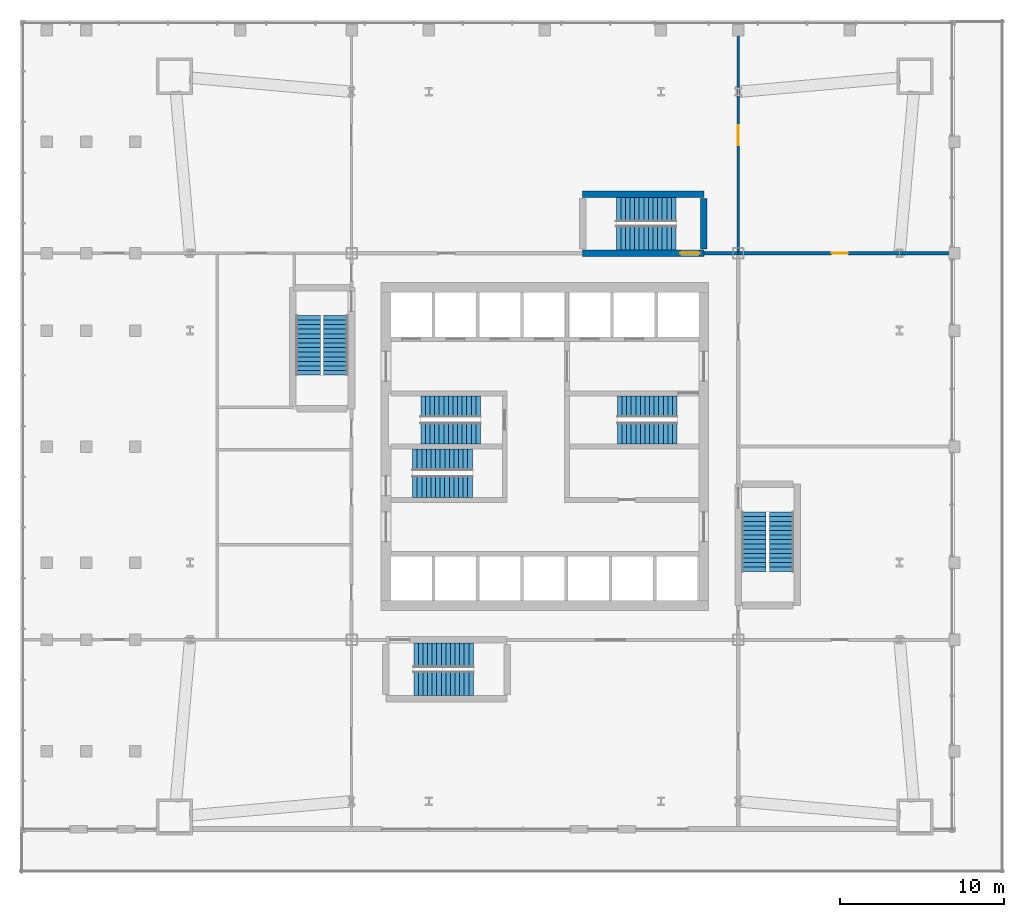
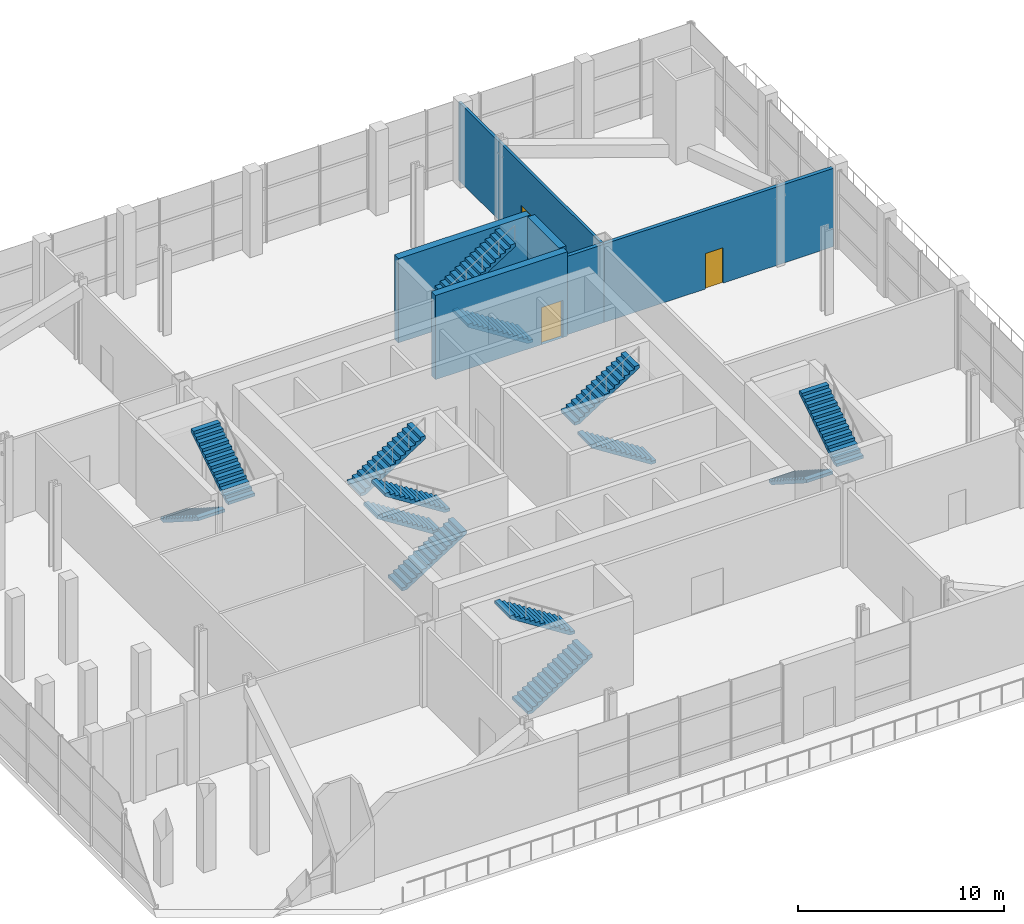
# One storey, part 11 of 12: 14 stair flights, 6 walls, 3 doors, 3 openings, 7 elements without a shape of their own.
"""IFC4 building model written with IfcOpenShell, lengths in metres."""

from ifc_helpers import new_model, si_unit, direction, frame, frame_2d, origin, place, context, subcontext, project, spatial, polyline, rectangle, outline, extrude, material, layer, layer_set, type_object, element, fill, aggregate, save


model = new_model("IFC4")

# Units and contexts
model_context = context("Model", 3, precision=1e-05, world=origin(), true_north=direction((0.0, 1.0)))
body_context = subcontext(model_context, "Body", "Model", "MODEL_VIEW")
ifc_project = project(units=[si_unit("LENGTHUNIT", "METRE"), si_unit("AREAUNIT", "SQUARE_METRE"), si_unit("VOLUMEUNIT", "CUBIC_METRE"), si_unit("PLANEANGLEUNIT", "RADIAN"), si_unit("MASSUNIT", "GRAM", prefix="KILO")], contexts=[model_context])

# Site, building, storey
site_placement = place(None, origin())
site = spatial("IfcSite", under=ifc_project, at=site_placement, CompositionType="ELEMENT")
building_placement = place(site_placement, origin())
building = spatial("IfcBuilding", under=site, at=building_placement, Name="Turquesa Mirador Hotel Tower", CompositionType="ELEMENT")
storey_placement = place(building_placement, frame((0.0, 0.0, 11.0)))
storey = spatial("IfcBuildingStorey", under=building, at=storey_placement, Name="L02", CompositionType="ELEMENT", Elevation=11.0)

# Wall
ifc_material_1 = material(Name="Fire-rated gypsum board on steel studs", Category="steel")
ifc_layer_1 = layer(ifc_material_1, 0.199951171875)
ifc_layer_set_1 = layer_set([ifc_layer_1], Name="CORRIDOR WALL 200")
wall_type_1 = type_object("IfcWallType", Name="CORRIDOR WALL 200", PredefinedType="PARTITIONING", material=ifc_layer_set_1)
wall_1_placement = place(storey_placement, frame((64.699951171875, 56.800048828125, 0.0), z_axis=(0.0, 0.0, 1.0), x_axis=(1.0, 0.0, 0.0)))
element("IfcWall", 1, at=wall_1_placement, inside=storey, type_object=wall_type_1, Name="Partition L02 013", PredefinedType="PARTITIONING", context=body_context, shape_type="SweptSolid", body=[
    extrude(rectangle(XDim=2.10009765625, YDim=0.199951171875, at=frame_2d((1.050048828125, 0.0))), origin(), (0.0, 0.0, 1.0), 4.64990234375),
])

# Wall, opening, door
ifc_material_2 = material(Name="Fire-rated gypsum board on steel studs", Category="steel")
ifc_layer_2 = layer(ifc_material_2, 0.199951171875)
ifc_layer_set_2 = layer_set([ifc_layer_2], Name="FIRE PARTITION 200")
wall_type_2 = type_object("IfcWallType", Name="FIRE PARTITION 200", PredefinedType="PARTITIONING", material=ifc_layer_set_2)
wall_2_placement = place(storey_placement, frame((66.800048828125, 56.800048828125, 0.0), z_axis=(0.0, 0.0, 1.0), x_axis=(1.0, 0.0, 0.0)))
wall_2 = element("IfcWall", 2, at=wall_2_placement, inside=storey, type_object=wall_type_2, Name="Partition L02 014", PredefinedType="PARTITIONING", context=body_context, shape_type="SweptSolid", body=[
    extrude(rectangle(XDim=12.89990234375, YDim=0.199951171875, at=frame_2d((6.449951171875, 0.0))), origin(), (0.0, 0.0, 1.0), 4.64990234375),
])
opening_1_placement = place(wall_2_placement, frame((5.699951171875, 0.0, 0.0)))
opening_1 = element("IfcOpeningElement", 3, at=opening_1_placement, cuts=wall_2, Name="Opening D05", PredefinedType="OPENING", context=body_context, shape_type="SweptSolid", body=[
    extrude(rectangle(XDim=1.0, YDim=2.10009765625, at=frame_2d((0.5, 1.050048828125))), frame((0.0, 0.10986328125, 0.0), z_axis=(0.0, -1.0, 0.0), x_axis=(1.0, 0.0, 0.0)), (0.0, 0.0, 1.0), 0.219970703125),
])
ifc_material_3 = material(Name="Steel fire door", Category="steel")
door_type_1 = type_object("IfcDoorType", Name="DOOR 1000X2100 SERVICE", OperationType="SINGLE_SWING_LEFT", PredefinedType="DOOR", material=ifc_material_3)
door_1_placement = place(opening_1_placement, origin())
door_1 = element("IfcDoor", 4, at=door_1_placement, inside=storey, type_object=door_type_1, Name="Door L02-11-1", OperationType="SINGLE_SWING_LEFT", OverallHeight=2.10009765625, OverallWidth=1.0, PredefinedType="DOOR", context=body_context, shape_type="SweptSolid", body=[
    extrude(rectangle(XDim=1.0, YDim=2.10009765625, at=frame_2d((0.5, 1.050048828125))), frame((0.0, 0.02490234375, 0.0), z_axis=(0.0, -1.0, 0.0), x_axis=(1.0, 0.0, 0.0)), (0.0, 0.0, 1.0), 0.050048828125),
])
fill(opening_1, door_1)

ifc_material_4 = material(Name="Gypsum board on steel studs", Category="steel")
ifc_layer_3 = layer(ifc_material_4, 0.14990234375)
ifc_layer_set_3 = layer_set([ifc_layer_3], Name="PARTITION 150")
wall_type_3 = type_object("IfcWallType", Name="PARTITION 150", PredefinedType="PARTITIONING", material=ifc_layer_set_3)
wall_3_placement = place(storey_placement, frame((66.800048828125, 56.800048828125, 0.0), z_axis=(0.0, 0.0, 1.0), x_axis=(0.0, 1.0, 0.0)))
wall_3 = element("IfcWall", 5, at=wall_3_placement, inside=storey, type_object=wall_type_3, Name="Partition L02 031", PredefinedType="PARTITIONING", context=body_context, shape_type="SweptSolid", body=[
    extrude(rectangle(XDim=13.89990234375, YDim=0.14990234375, at=frame_2d((6.949951171875, 0.0))), origin(), (0.0, 0.0, 1.0), 4.64990234375),
])
opening_2_placement = place(wall_3_placement, frame((6.60009765625, 0.0, 0.0)))
opening_2 = element("IfcOpeningElement", 6, at=opening_2_placement, cuts=wall_3, Name="Opening D09", PredefinedType="OPENING", context=body_context, shape_type="SweptSolid", body=[
    extrude(rectangle(XDim=1.199951171875, YDim=2.199951171875, at=frame_2d((0.60009765625, 1.10009765625))), frame((0.0, 0.0849609375, 0.0), z_axis=(0.0, -1.0, 0.0), x_axis=(1.0, 0.0, 0.0)), (0.0, 0.0, 1.0), 0.169921875),
])
ifc_material_5 = material(Name="Timber door", Category="wood")
door_type_2 = type_object("IfcDoorType", Name="DOOR 1200X2200 OFFICE", OperationType="SINGLE_SWING_LEFT", PredefinedType="DOOR", material=ifc_material_5)
door_2_placement = place(opening_2_placement, origin())
door_2 = element("IfcDoor", 7, at=door_2_placement, inside=storey, type_object=door_type_2, Name="Door L02-11", OperationType="SINGLE_SWING_LEFT", OverallHeight=2.199951171875, OverallWidth=1.199951171875, PredefinedType="DOOR", context=body_context, shape_type="SweptSolid", body=[
    extrude(rectangle(XDim=1.199951171875, YDim=2.199951171875, at=frame_2d((0.60009765625, 1.10009765625))), frame((0.0, 0.02490234375, 0.0), z_axis=(0.0, -1.0, 0.0), x_axis=(1.0, 0.0, 0.0)), (0.0, 0.0, 1.0), 0.050048828125),
])
fill(opening_2, door_2)

ifc_material_6 = material(Name="Concrete C50/60", Category="concrete")
ifc_layer_4 = layer(ifc_material_6, 0.39990234375)
ifc_layer_set_4 = layer_set([ifc_layer_4], Name="STAIR WALL 400")
wall_type_4 = type_object("IfcWallType", Name="STAIR WALL 400", PredefinedType="SHEAR", material=ifc_layer_set_4)
wall_4_placement = place(storey_placement, frame((57.300048828125, 56.800048828125, 0.0), z_axis=(0.0, 0.0, 1.0), x_axis=(1.0, 0.0, 0.0)))
wall_4 = element("IfcWall", 8, at=wall_4_placement, inside=storey, type_object=wall_type_4, Name="Stair wall L02 016", PredefinedType="SHEAR", context=body_context, shape_type="SweptSolid", body=[
    extrude(rectangle(XDim=7.39990234375, YDim=0.39990234375, at=frame_2d((3.699951171875, 0.0))), origin(), (0.0, 0.0, 1.0), 5.0),
])
opening_3_placement = place(wall_4_placement, frame((5.949951171875, 0.0, 0.0)))
opening_3 = element("IfcOpeningElement", 9, at=opening_3_placement, cuts=wall_4, Name="Opening D03", PredefinedType="OPENING", context=body_context, shape_type="SweptSolid", body=[
    extrude(rectangle(XDim=1.199951171875, YDim=2.199951171875, at=frame_2d((0.60009765625, 1.10009765625))), frame((0.0, 0.2099609375, 0.0), z_axis=(0.0, -1.0, 0.0), x_axis=(1.0, 0.0, 0.0)), (0.0, 0.0, 1.0), 0.419921875),
])
ifc_material_7 = material(Name="Steel fire door", Category="steel")
door_type_3 = type_object("IfcDoorType", Name="DOOR 1200X2200 STAIR", OperationType="SINGLE_SWING_LEFT", PredefinedType="DOOR", material=ifc_material_7)
door_3_placement = place(opening_3_placement, origin())
door_3 = element("IfcDoor", 10, at=door_3_placement, inside=storey, type_object=door_type_3, Name="Door L02-PS1", OperationType="SINGLE_SWING_LEFT", OverallHeight=2.199951171875, OverallWidth=1.199951171875, PredefinedType="DOOR", context=body_context, shape_type="SweptSolid", body=[
    extrude(rectangle(XDim=1.199951171875, YDim=2.199951171875, at=frame_2d((0.60009765625, 1.10009765625))), frame((0.0, 0.02490234375, 0.0), z_axis=(0.0, -1.0, 0.0), x_axis=(1.0, 0.0, 0.0)), (0.0, 0.0, 1.0), 0.050048828125),
])
fill(opening_3, door_3)

# Walls
wall_5_placement = place(storey_placement, frame((57.300048828125, 60.39990234375, 0.0), z_axis=(0.0, 0.0, 1.0), x_axis=(1.0, 0.0, 0.0)))
element("IfcWall", 11, at=wall_5_placement, inside=storey, type_object=wall_type_4, Name="Stair wall L02 017", PredefinedType="SHEAR", context=body_context, shape_type="SweptSolid", body=[
    extrude(rectangle(XDim=7.39990234375, YDim=0.39990234375, at=frame_2d((3.699951171875, 0.0))), origin(), (0.0, 0.0, 1.0), 5.0),
])
wall_6_placement = place(storey_placement, frame((64.699951171875, 57.070068359375, 0.0), z_axis=(0.0, 0.0, 1.0), x_axis=(0.0, 1.0, 0.0)))
element("IfcWall", 12, at=wall_6_placement, inside=storey, type_object=wall_type_4, Name="Stair wall L02 035", PredefinedType="SHEAR", context=body_context, shape_type="SweptSolid", body=[
    extrude(rectangle(XDim=3.059814453125, YDim=0.39990234375, at=frame_2d((1.52978515625, 0.0))), origin(), (0.0, 0.0, 1.0), 5.0),
])

# Stair, stair flights
ifc_material_8 = material(Name="Concrete C35/45", Category="concrete")
stair_type_1 = type_object("IfcStairType", Name="ESCAPE STAIR CORE", PredefinedType="HALF_TURN_STAIR", material=ifc_material_8)
stair_1_placement = place(storey_placement, origin())
stair_1 = element("IfcStair", 13, at=stair_1_placement, inside=storey, type_object=stair_type_1, Name="Stair ST1 L02 to L03", PredefinedType="HALF_TURN_STAIR")
ifc_material_9 = material(Name="Concrete C35/45 precast flight", Category="concrete")
stair_flight_type_1 = type_object("IfcStairFlightType", Name="STAIR FLIGHT 1330", PredefinedType="STRAIGHT", material=ifc_material_9)
stair_flight_1_placement = place(storey_placement, frame((51.070068359375, 45.81494140625, 0.0), z_axis=(0.0, 0.0, 1.0), x_axis=(-1.0, 0.0, 0.0)))
stair_flight_1 = element("IfcStairFlight", 14, at=stair_flight_1_placement, type_object=stair_flight_type_1, Name="ST1 flight 1", NumberOfRisers=14, NumberOfTreads=13, PredefinedType="STRAIGHT", RiserHeight=0.178571429, TreadLength=0.28, context=body_context, shape_type="SweptSolid", body=[
    extrude(outline(polyline([(0.0, 0.0), (0.0, 0.178466796875), (0.280029296875, 0.178466796875), (0.280029296875, 0.357177734375), (0.56005859375, 0.357177734375), (0.56005859375, 0.53564453125), (0.840087890625, 0.53564453125), (0.840087890625, 0.71435546875), (1.1201171875, 0.71435546875), (1.1201171875, 0.892822265625), (1.39990234375, 0.892822265625), (1.39990234375, 1.071533203125), (1.679931640625, 1.071533203125), (1.679931640625, 1.25), (1.9599609375, 1.25), (1.9599609375, 1.428466796875), (2.239990234375, 1.428466796875), (2.239990234375, 1.607177734375), (2.52001953125, 1.607177734375), (2.52001953125, 1.78564453125), (2.800048828125, 1.78564453125), (2.800048828125, 1.96435546875), (3.080078125, 1.96435546875), (3.080078125, 2.142822265625), (3.360107421875, 2.142822265625), (3.360107421875, 2.321533203125), (3.639892578125, 2.321533203125), (3.639892578125, 2.5), (3.639892578125, 2.1435546875), (0.27880859375, 0.0), (0.0, 0.0)])), frame((0.0, 0.6650390625, 0.0), z_axis=(0.0, -1.0, 0.0), x_axis=(1.0, 0.0, 0.0)), (0.0, 0.0, 1.0), 1.330078125),
])
stair_flight_2_placement = place(storey_placement, frame((47.429931640625, 47.43505859375, 2.5), z_axis=(0.0, 0.0, 1.0), x_axis=(1.0, 0.0, 0.0)))
stair_flight_2 = element("IfcStairFlight", 15, at=stair_flight_2_placement, type_object=stair_flight_type_1, Name="ST1 flight 2", NumberOfRisers=14, NumberOfTreads=13, PredefinedType="STRAIGHT", RiserHeight=0.178571429, TreadLength=0.28, context=body_context, shape_type="SweptSolid", body=[
    extrude(outline(polyline([(0.0, 0.0), (0.0, 0.178466796875), (0.280029296875, 0.178466796875), (0.280029296875, 0.357177734375), (0.56005859375, 0.357177734375), (0.56005859375, 0.53564453125), (0.840087890625, 0.53564453125), (0.840087890625, 0.71435546875), (1.1201171875, 0.71435546875), (1.1201171875, 0.892822265625), (1.39990234375, 0.892822265625), (1.39990234375, 1.071533203125), (1.679931640625, 1.071533203125), (1.679931640625, 1.25), (1.9599609375, 1.25), (1.9599609375, 1.428466796875), (2.239990234375, 1.428466796875), (2.239990234375, 1.607177734375), (2.52001953125, 1.607177734375), (2.52001953125, 1.78564453125), (2.800048828125, 1.78564453125), (2.800048828125, 1.96435546875), (3.080078125, 1.96435546875), (3.080078125, 2.142822265625), (3.360107421875, 2.142822265625), (3.360107421875, 2.321533203125), (3.639892578125, 2.321533203125), (3.639892578125, 2.5), (3.639892578125, 2.1435546875), (0.27880859375, 0.0), (0.0, 0.0)])), frame((0.0, 0.6650390625, 0.0), z_axis=(0.0, -1.0, 0.0), x_axis=(1.0, 0.0, 0.0)), (0.0, 0.0, 1.0), 1.330078125),
])
aggregate(stair_1, [stair_flight_1, stair_flight_2])

stair_2_placement = place(storey_placement, origin())
stair_2 = element("IfcStair", 16, at=stair_2_placement, inside=storey, type_object=stair_type_1, Name="Stair ST2 L02 to L03", PredefinedType="HALF_TURN_STAIR")
stair_flight_3_placement = place(storey_placement, frame((46.929931640625, 42.56494140625, 0.0), z_axis=(0.0, 0.0, 1.0), x_axis=(1.0, 0.0, 0.0)))
stair_flight_3 = element("IfcStairFlight", 17, at=stair_flight_3_placement, type_object=stair_flight_type_1, Name="ST2 flight 1", NumberOfRisers=14, NumberOfTreads=13, PredefinedType="STRAIGHT", RiserHeight=0.178571429, TreadLength=0.28, context=body_context, shape_type="SweptSolid", body=[
    extrude(outline(polyline([(0.0, 0.0), (0.0, 0.178466796875), (0.280029296875, 0.178466796875), (0.280029296875, 0.357177734375), (0.56005859375, 0.357177734375), (0.56005859375, 0.53564453125), (0.840087890625, 0.53564453125), (0.840087890625, 0.71435546875), (1.1201171875, 0.71435546875), (1.1201171875, 0.892822265625), (1.39990234375, 0.892822265625), (1.39990234375, 1.071533203125), (1.679931640625, 1.071533203125), (1.679931640625, 1.25), (1.9599609375, 1.25), (1.9599609375, 1.428466796875), (2.239990234375, 1.428466796875), (2.239990234375, 1.607177734375), (2.52001953125, 1.607177734375), (2.52001953125, 1.78564453125), (2.800048828125, 1.78564453125), (2.800048828125, 1.96435546875), (3.080078125, 1.96435546875), (3.080078125, 2.142822265625), (3.360107421875, 2.142822265625), (3.360107421875, 2.321533203125), (3.639892578125, 2.321533203125), (3.639892578125, 2.5), (3.639892578125, 2.1435546875), (0.27880859375, 0.0), (0.0, 0.0)])), frame((0.0, 0.6650390625, 0.0), z_axis=(0.0, -1.0, 0.0), x_axis=(1.0, 0.0, 0.0)), (0.0, 0.0, 1.0), 1.330078125),
])
stair_flight_4_placement = place(storey_placement, frame((50.570068359375, 44.18505859375, 2.5), z_axis=(0.0, 0.0, 1.0), x_axis=(-1.0, 0.0, 0.0)))
stair_flight_4 = element("IfcStairFlight", 18, at=stair_flight_4_placement, type_object=stair_flight_type_1, Name="ST2 flight 2", NumberOfRisers=14, NumberOfTreads=13, PredefinedType="STRAIGHT", RiserHeight=0.178571429, TreadLength=0.28, context=body_context, shape_type="SweptSolid", body=[
    extrude(outline(polyline([(0.0, 0.0), (0.0, 0.178466796875), (0.280029296875, 0.178466796875), (0.280029296875, 0.357177734375), (0.56005859375, 0.357177734375), (0.56005859375, 0.53564453125), (0.840087890625, 0.53564453125), (0.840087890625, 0.71435546875), (1.1201171875, 0.71435546875), (1.1201171875, 0.892822265625), (1.39990234375, 0.892822265625), (1.39990234375, 1.071533203125), (1.679931640625, 1.071533203125), (1.679931640625, 1.25), (1.9599609375, 1.25), (1.9599609375, 1.428466796875), (2.239990234375, 1.428466796875), (2.239990234375, 1.607177734375), (2.52001953125, 1.607177734375), (2.52001953125, 1.78564453125), (2.800048828125, 1.78564453125), (2.800048828125, 1.96435546875), (3.080078125, 1.96435546875), (3.080078125, 2.142822265625), (3.360107421875, 2.142822265625), (3.360107421875, 2.321533203125), (3.639892578125, 2.321533203125), (3.639892578125, 2.5), (3.639892578125, 2.1435546875), (0.27880859375, 0.0), (0.0, 0.0)])), frame((0.0, 0.6650390625, 0.0), z_axis=(0.0, -1.0, 0.0), x_axis=(1.0, 0.0, 0.0)), (0.0, 0.0, 1.0), 1.330078125),
])
aggregate(stair_2, [stair_flight_3, stair_flight_4])

stair_3_placement = place(storey_placement, origin())
stair_3 = element("IfcStair", 19, at=stair_3_placement, inside=storey, type_object=stair_type_1, Name="Stair ST3 L02 to L03", PredefinedType="HALF_TURN_STAIR")
stair_flight_5_placement = place(storey_placement, frame((63.070068359375, 45.81494140625, 0.0), z_axis=(0.0, 0.0, 1.0), x_axis=(-1.0, 0.0, 0.0)))
stair_flight_5 = element("IfcStairFlight", 20, at=stair_flight_5_placement, type_object=stair_flight_type_1, Name="ST3 flight 1", NumberOfRisers=14, NumberOfTreads=13, PredefinedType="STRAIGHT", RiserHeight=0.178571429, TreadLength=0.28, context=body_context, shape_type="SweptSolid", body=[
    extrude(outline(polyline([(0.0, 0.0), (0.0, 0.178466796875), (0.280029296875, 0.178466796875), (0.280029296875, 0.357177734375), (0.56005859375, 0.357177734375), (0.56005859375, 0.53564453125), (0.840087890625, 0.53564453125), (0.840087890625, 0.71435546875), (1.1201171875, 0.71435546875), (1.1201171875, 0.892822265625), (1.39990234375, 0.892822265625), (1.39990234375, 1.071533203125), (1.679931640625, 1.071533203125), (1.679931640625, 1.25), (1.9599609375, 1.25), (1.9599609375, 1.428466796875), (2.239990234375, 1.428466796875), (2.239990234375, 1.607177734375), (2.52001953125, 1.607177734375), (2.52001953125, 1.78564453125), (2.800048828125, 1.78564453125), (2.800048828125, 1.96435546875), (3.080078125, 1.96435546875), (3.080078125, 2.142822265625), (3.360107421875, 2.142822265625), (3.360107421875, 2.321533203125), (3.639892578125, 2.321533203125), (3.639892578125, 2.5), (3.639892578125, 2.1435546875), (0.27880859375, 0.0), (0.0, 0.0)])), frame((0.0, 0.6650390625, 0.0), z_axis=(0.0, -1.0, 0.0), x_axis=(1.0, 0.0, 0.0)), (0.0, 0.0, 1.0), 1.330078125),
])
stair_flight_6_placement = place(storey_placement, frame((59.429931640625, 47.43505859375, 2.5), z_axis=(0.0, 0.0, 1.0), x_axis=(1.0, 0.0, 0.0)))
stair_flight_6 = element("IfcStairFlight", 21, at=stair_flight_6_placement, type_object=stair_flight_type_1, Name="ST3 flight 2", NumberOfRisers=14, NumberOfTreads=13, PredefinedType="STRAIGHT", RiserHeight=0.178571429, TreadLength=0.28, context=body_context, shape_type="SweptSolid", body=[
    extrude(outline(polyline([(0.0, 0.0), (0.0, 0.178466796875), (0.280029296875, 0.178466796875), (0.280029296875, 0.357177734375), (0.56005859375, 0.357177734375), (0.56005859375, 0.53564453125), (0.840087890625, 0.53564453125), (0.840087890625, 0.71435546875), (1.1201171875, 0.71435546875), (1.1201171875, 0.892822265625), (1.39990234375, 0.892822265625), (1.39990234375, 1.071533203125), (1.679931640625, 1.071533203125), (1.679931640625, 1.25), (1.9599609375, 1.25), (1.9599609375, 1.428466796875), (2.239990234375, 1.428466796875), (2.239990234375, 1.607177734375), (2.52001953125, 1.607177734375), (2.52001953125, 1.78564453125), (2.800048828125, 1.78564453125), (2.800048828125, 1.96435546875), (3.080078125, 1.96435546875), (3.080078125, 2.142822265625), (3.360107421875, 2.142822265625), (3.360107421875, 2.321533203125), (3.639892578125, 2.321533203125), (3.639892578125, 2.5), (3.639892578125, 2.1435546875), (0.27880859375, 0.0), (0.0, 0.0)])), frame((0.0, 0.6650390625, 0.0), z_axis=(0.0, -1.0, 0.0), x_axis=(1.0, 0.0, 0.0)), (0.0, 0.0, 1.0), 1.330078125),
])
aggregate(stair_3, [stair_flight_5, stair_flight_6])

ifc_material_10 = material(Name="Concrete C35/45", Category="concrete")
stair_type_2 = type_object("IfcStairType", Name="ESCAPE STAIR PODIUM", PredefinedType="HALF_TURN_STAIR", material=ifc_material_10)
stair_4_placement = place(storey_placement, origin())
stair_4 = element("IfcStair", 22, at=stair_4_placement, inside=storey, type_object=stair_type_2, Name="Stair PS1 L02 to L03", PredefinedType="HALF_TURN_STAIR")
ifc_material_11 = material(Name="Concrete C35/45 precast flight", Category="concrete")
stair_flight_type_2 = type_object("IfcStairFlightType", Name="STAIR FLIGHT 1500", PredefinedType="STRAIGHT", material=ifc_material_11)
stair_flight_7_placement = place(storey_placement, frame((63.0, 57.75, 0.0), z_axis=(0.0, 0.0, 1.0), x_axis=(-1.0, 0.0, 0.0)))
stair_flight_7 = element("IfcStairFlight", 23, at=stair_flight_7_placement, type_object=stair_flight_type_2, Name="PS1 flight 1", NumberOfRisers=14, NumberOfTreads=13, PredefinedType="STRAIGHT", RiserHeight=0.178571429, TreadLength=0.28, context=body_context, shape_type="SweptSolid", body=[
    extrude(outline(polyline([(0.0, 0.0), (0.0, 0.178466796875), (0.280029296875, 0.178466796875), (0.280029296875, 0.357177734375), (0.56005859375, 0.357177734375), (0.56005859375, 0.53564453125), (0.840087890625, 0.53564453125), (0.840087890625, 0.71435546875), (1.1201171875, 0.71435546875), (1.1201171875, 0.892822265625), (1.39990234375, 0.892822265625), (1.39990234375, 1.071533203125), (1.679931640625, 1.071533203125), (1.679931640625, 1.25), (1.9599609375, 1.25), (1.9599609375, 1.428466796875), (2.239990234375, 1.428466796875), (2.239990234375, 1.607177734375), (2.52001953125, 1.607177734375), (2.52001953125, 1.78564453125), (2.800048828125, 1.78564453125), (2.800048828125, 1.96435546875), (3.080078125, 1.96435546875), (3.080078125, 2.142822265625), (3.360107421875, 2.142822265625), (3.360107421875, 2.321533203125), (3.639892578125, 2.321533203125), (3.639892578125, 2.5), (3.639892578125, 2.1435546875), (0.27880859375, 0.0), (0.0, 0.0)])), frame((0.0, 0.75, 0.0), z_axis=(0.0, -1.0, 0.0), x_axis=(1.0, 0.0, 0.0)), (0.0, 0.0, 1.0), 1.5),
])
stair_flight_8_placement = place(storey_placement, frame((59.360107421875, 59.449951171875, 2.5), z_axis=(0.0, 0.0, 1.0), x_axis=(1.0, 0.0, 0.0)))
stair_flight_8 = element("IfcStairFlight", 24, at=stair_flight_8_placement, type_object=stair_flight_type_2, Name="PS1 flight 2", NumberOfRisers=14, NumberOfTreads=13, PredefinedType="STRAIGHT", RiserHeight=0.178571429, TreadLength=0.28, context=body_context, shape_type="SweptSolid", body=[
    extrude(outline(polyline([(0.0, 0.0), (0.0, 0.178466796875), (0.280029296875, 0.178466796875), (0.280029296875, 0.357177734375), (0.56005859375, 0.357177734375), (0.56005859375, 0.53564453125), (0.840087890625, 0.53564453125), (0.840087890625, 0.71435546875), (1.1201171875, 0.71435546875), (1.1201171875, 0.892822265625), (1.39990234375, 0.892822265625), (1.39990234375, 1.071533203125), (1.679931640625, 1.071533203125), (1.679931640625, 1.25), (1.9599609375, 1.25), (1.9599609375, 1.428466796875), (2.239990234375, 1.428466796875), (2.239990234375, 1.607177734375), (2.52001953125, 1.607177734375), (2.52001953125, 1.78564453125), (2.800048828125, 1.78564453125), (2.800048828125, 1.96435546875), (3.080078125, 1.96435546875), (3.080078125, 2.142822265625), (3.360107421875, 2.142822265625), (3.360107421875, 2.321533203125), (3.639892578125, 2.321533203125), (3.639892578125, 2.5), (3.639892578125, 2.1435546875), (0.27880859375, 0.0), (0.0, 0.0)])), frame((0.0, 0.75, 0.0), z_axis=(0.0, -1.0, 0.0), x_axis=(1.0, 0.0, 0.0)), (0.0, 0.0, 1.0), 1.5),
])
aggregate(stair_4, [stair_flight_7, stair_flight_8])

stair_5_placement = place(storey_placement, origin())
stair_5 = element("IfcStair", 25, at=stair_5_placement, inside=storey, type_object=stair_type_2, Name="Stair PS2 L02 to L03", PredefinedType="HALF_TURN_STAIR")
stair_flight_9_placement = place(storey_placement, frame((47.0, 30.550048828125, 0.0), z_axis=(0.0, 0.0, 1.0), x_axis=(1.0, 0.0, 0.0)))
stair_flight_9 = element("IfcStairFlight", 26, at=stair_flight_9_placement, type_object=stair_flight_type_2, Name="PS2 flight 1", NumberOfRisers=14, NumberOfTreads=13, PredefinedType="STRAIGHT", RiserHeight=0.178571429, TreadLength=0.28, context=body_context, shape_type="SweptSolid", body=[
    extrude(outline(polyline([(0.0, 0.0), (0.0, 0.178466796875), (0.280029296875, 0.178466796875), (0.280029296875, 0.357177734375), (0.56005859375, 0.357177734375), (0.56005859375, 0.53564453125), (0.840087890625, 0.53564453125), (0.840087890625, 0.71435546875), (1.1201171875, 0.71435546875), (1.1201171875, 0.892822265625), (1.39990234375, 0.892822265625), (1.39990234375, 1.071533203125), (1.679931640625, 1.071533203125), (1.679931640625, 1.25), (1.9599609375, 1.25), (1.9599609375, 1.428466796875), (2.239990234375, 1.428466796875), (2.239990234375, 1.607177734375), (2.52001953125, 1.607177734375), (2.52001953125, 1.78564453125), (2.800048828125, 1.78564453125), (2.800048828125, 1.96435546875), (3.080078125, 1.96435546875), (3.080078125, 2.142822265625), (3.360107421875, 2.142822265625), (3.360107421875, 2.321533203125), (3.639892578125, 2.321533203125), (3.639892578125, 2.5), (3.639892578125, 2.1435546875), (0.27880859375, 0.0), (0.0, 0.0)])), frame((0.0, 0.75, 0.0), z_axis=(0.0, -1.0, 0.0), x_axis=(1.0, 0.0, 0.0)), (0.0, 0.0, 1.0), 1.5),
])
stair_flight_10_placement = place(storey_placement, frame((50.639892578125, 32.25, 2.5), z_axis=(0.0, 0.0, 1.0), x_axis=(-1.0, 0.0, 0.0)))
stair_flight_10 = element("IfcStairFlight", 27, at=stair_flight_10_placement, type_object=stair_flight_type_2, Name="PS2 flight 2", NumberOfRisers=14, NumberOfTreads=13, PredefinedType="STRAIGHT", RiserHeight=0.178571429, TreadLength=0.28, context=body_context, shape_type="SweptSolid", body=[
    extrude(outline(polyline([(0.0, 0.0), (0.0, 0.178466796875), (0.280029296875, 0.178466796875), (0.280029296875, 0.357177734375), (0.56005859375, 0.357177734375), (0.56005859375, 0.53564453125), (0.840087890625, 0.53564453125), (0.840087890625, 0.71435546875), (1.1201171875, 0.71435546875), (1.1201171875, 0.892822265625), (1.39990234375, 0.892822265625), (1.39990234375, 1.071533203125), (1.679931640625, 1.071533203125), (1.679931640625, 1.25), (1.9599609375, 1.25), (1.9599609375, 1.428466796875), (2.239990234375, 1.428466796875), (2.239990234375, 1.607177734375), (2.52001953125, 1.607177734375), (2.52001953125, 1.78564453125), (2.800048828125, 1.78564453125), (2.800048828125, 1.96435546875), (3.080078125, 1.96435546875), (3.080078125, 2.142822265625), (3.360107421875, 2.142822265625), (3.360107421875, 2.321533203125), (3.639892578125, 2.321533203125), (3.639892578125, 2.5), (3.639892578125, 2.1435546875), (0.27880859375, 0.0), (0.0, 0.0)])), frame((0.0, 0.75, 0.0), z_axis=(0.0, -1.0, 0.0), x_axis=(1.0, 0.0, 0.0)), (0.0, 0.0, 1.0), 1.5),
])
aggregate(stair_5, [stair_flight_9, stair_flight_10])

stair_6_placement = place(storey_placement, origin())
stair_6 = element("IfcStair", 28, at=stair_6_placement, inside=storey, type_object=stair_type_2, Name="Stair PS3 L02 to L03", PredefinedType="HALF_TURN_STAIR")
stair_flight_11_placement = place(storey_placement, frame((67.75, 41.0, 0.0), z_axis=(0.0, 0.0, 1.0), x_axis=(0.0, -1.0, 0.0)))
stair_flight_11 = element("IfcStairFlight", 29, at=stair_flight_11_placement, type_object=stair_flight_type_2, Name="PS3 flight 1", NumberOfRisers=14, NumberOfTreads=13, PredefinedType="STRAIGHT", RiserHeight=0.178571429, TreadLength=0.28, context=body_context, shape_type="SweptSolid", body=[
    extrude(outline(polyline([(0.0, 0.0), (0.0, 0.178466796875), (0.280029296875, 0.178466796875), (0.280029296875, 0.357177734375), (0.56005859375, 0.357177734375), (0.56005859375, 0.53564453125), (0.840087890625, 0.53564453125), (0.840087890625, 0.71435546875), (1.1201171875, 0.71435546875), (1.1201171875, 0.892822265625), (1.39990234375, 0.892822265625), (1.39990234375, 1.071533203125), (1.679931640625, 1.071533203125), (1.679931640625, 1.25), (1.9599609375, 1.25), (1.9599609375, 1.428466796875), (2.239990234375, 1.428466796875), (2.239990234375, 1.607177734375), (2.52001953125, 1.607177734375), (2.52001953125, 1.78564453125), (2.800048828125, 1.78564453125), (2.800048828125, 1.96435546875), (3.080078125, 1.96435546875), (3.080078125, 2.142822265625), (3.360107421875, 2.142822265625), (3.360107421875, 2.321533203125), (3.639892578125, 2.321533203125), (3.639892578125, 2.5), (3.639892578125, 2.1435546875), (0.27880859375, 0.0), (0.0, 0.0)])), frame((0.0, 0.75, 0.0), z_axis=(0.0, -1.0, 0.0), x_axis=(1.0, 0.0, 0.0)), (0.0, 0.0, 1.0), 1.5),
])
stair_flight_12_placement = place(storey_placement, frame((69.449951171875, 37.360107421875, 2.5), z_axis=(0.0, 0.0, 1.0), x_axis=(0.0, 1.0, 0.0)))
stair_flight_12 = element("IfcStairFlight", 30, at=stair_flight_12_placement, type_object=stair_flight_type_2, Name="PS3 flight 2", NumberOfRisers=14, NumberOfTreads=13, PredefinedType="STRAIGHT", RiserHeight=0.178571429, TreadLength=0.28, context=body_context, shape_type="SweptSolid", body=[
    extrude(outline(polyline([(0.0, 0.0), (0.0, 0.178466796875), (0.280029296875, 0.178466796875), (0.280029296875, 0.357177734375), (0.56005859375, 0.357177734375), (0.56005859375, 0.53564453125), (0.840087890625, 0.53564453125), (0.840087890625, 0.71435546875), (1.1201171875, 0.71435546875), (1.1201171875, 0.892822265625), (1.39990234375, 0.892822265625), (1.39990234375, 1.071533203125), (1.679931640625, 1.071533203125), (1.679931640625, 1.25), (1.9599609375, 1.25), (1.9599609375, 1.428466796875), (2.239990234375, 1.428466796875), (2.239990234375, 1.607177734375), (2.52001953125, 1.607177734375), (2.52001953125, 1.78564453125), (2.800048828125, 1.78564453125), (2.800048828125, 1.96435546875), (3.080078125, 1.96435546875), (3.080078125, 2.142822265625), (3.360107421875, 2.142822265625), (3.360107421875, 2.321533203125), (3.639892578125, 2.321533203125), (3.639892578125, 2.5), (3.639892578125, 2.1435546875), (0.27880859375, 0.0), (0.0, 0.0)])), frame((0.0, 0.75, 0.0), z_axis=(0.0, -1.0, 0.0), x_axis=(1.0, 0.0, 0.0)), (0.0, 0.0, 1.0), 1.5),
])
aggregate(stair_6, [stair_flight_11, stair_flight_12])

stair_7_placement = place(storey_placement, origin())
stair_7 = element("IfcStair", 31, at=stair_7_placement, inside=storey, type_object=stair_type_2, Name="Stair PS4 L02 to L03", PredefinedType="HALF_TURN_STAIR")
stair_flight_13_placement = place(storey_placement, frame((40.550048828125, 53.0, 0.0), z_axis=(0.0, 0.0, 1.0), x_axis=(0.0, -1.0, 0.0)))
stair_flight_13 = element("IfcStairFlight", 32, at=stair_flight_13_placement, type_object=stair_flight_type_2, Name="PS4 flight 1", NumberOfRisers=14, NumberOfTreads=13, PredefinedType="STRAIGHT", RiserHeight=0.178571429, TreadLength=0.28, context=body_context, shape_type="SweptSolid", body=[
    extrude(outline(polyline([(0.0, 0.0), (0.0, 0.178466796875), (0.280029296875, 0.178466796875), (0.280029296875, 0.357177734375), (0.56005859375, 0.357177734375), (0.56005859375, 0.53564453125), (0.840087890625, 0.53564453125), (0.840087890625, 0.71435546875), (1.1201171875, 0.71435546875), (1.1201171875, 0.892822265625), (1.39990234375, 0.892822265625), (1.39990234375, 1.071533203125), (1.679931640625, 1.071533203125), (1.679931640625, 1.25), (1.9599609375, 1.25), (1.9599609375, 1.428466796875), (2.239990234375, 1.428466796875), (2.239990234375, 1.607177734375), (2.52001953125, 1.607177734375), (2.52001953125, 1.78564453125), (2.800048828125, 1.78564453125), (2.800048828125, 1.96435546875), (3.080078125, 1.96435546875), (3.080078125, 2.142822265625), (3.360107421875, 2.142822265625), (3.360107421875, 2.321533203125), (3.639892578125, 2.321533203125), (3.639892578125, 2.5), (3.639892578125, 2.1435546875), (0.27880859375, 0.0), (0.0, 0.0)])), frame((0.0, 0.75, 0.0), z_axis=(0.0, -1.0, 0.0), x_axis=(1.0, 0.0, 0.0)), (0.0, 0.0, 1.0), 1.5),
])
stair_flight_14_placement = place(storey_placement, frame((42.25, 49.360107421875, 2.5), z_axis=(0.0, 0.0, 1.0), x_axis=(0.0, 1.0, 0.0)))
stair_flight_14 = element("IfcStairFlight", 33, at=stair_flight_14_placement, type_object=stair_flight_type_2, Name="PS4 flight 2", NumberOfRisers=14, NumberOfTreads=13, PredefinedType="STRAIGHT", RiserHeight=0.178571429, TreadLength=0.28, context=body_context, shape_type="SweptSolid", body=[
    extrude(outline(polyline([(0.0, 0.0), (0.0, 0.178466796875), (0.280029296875, 0.178466796875), (0.280029296875, 0.357177734375), (0.56005859375, 0.357177734375), (0.56005859375, 0.53564453125), (0.840087890625, 0.53564453125), (0.840087890625, 0.71435546875), (1.1201171875, 0.71435546875), (1.1201171875, 0.892822265625), (1.39990234375, 0.892822265625), (1.39990234375, 1.071533203125), (1.679931640625, 1.071533203125), (1.679931640625, 1.25), (1.9599609375, 1.25), (1.9599609375, 1.428466796875), (2.239990234375, 1.428466796875), (2.239990234375, 1.607177734375), (2.52001953125, 1.607177734375), (2.52001953125, 1.78564453125), (2.800048828125, 1.78564453125), (2.800048828125, 1.96435546875), (3.080078125, 1.96435546875), (3.080078125, 2.142822265625), (3.360107421875, 2.142822265625), (3.360107421875, 2.321533203125), (3.639892578125, 2.321533203125), (3.639892578125, 2.5), (3.639892578125, 2.1435546875), (0.27880859375, 0.0), (0.0, 0.0)])), frame((0.0, 0.75, 0.0), z_axis=(0.0, -1.0, 0.0), x_axis=(1.0, 0.0, 0.0)), (0.0, 0.0, 1.0), 1.5),
])
aggregate(stair_7, [stair_flight_13, stair_flight_14])

save(model, "model.ifc")
